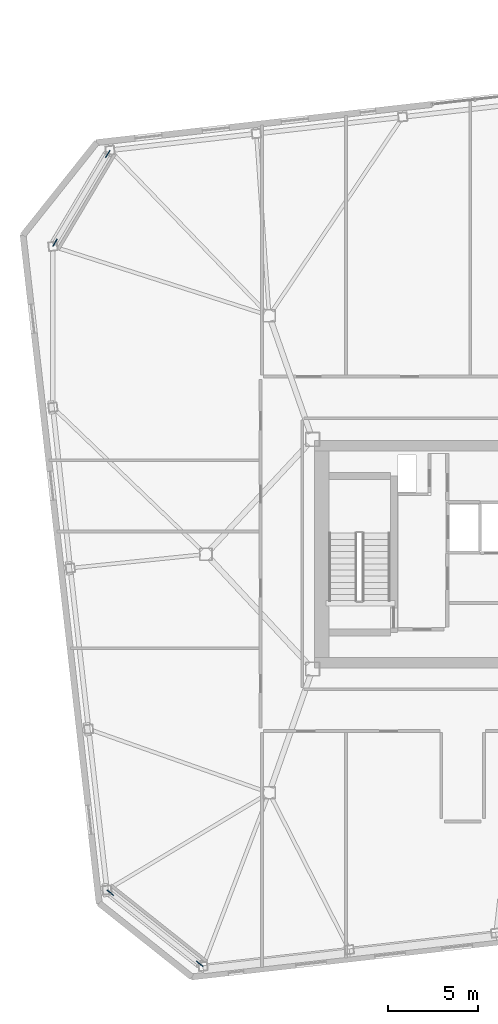
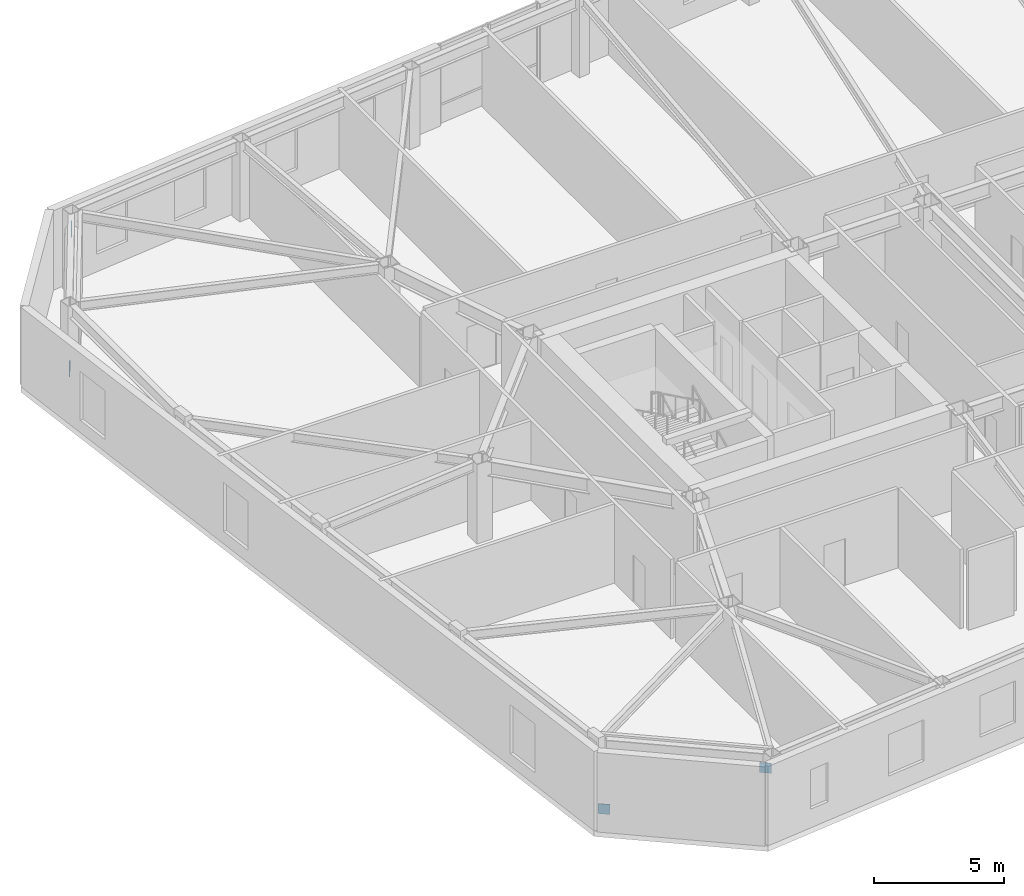
# One storey, part 17 of 19: 4 discrete accessories.
"""IFC4 building model written with IfcOpenShell, lengths in metres."""

from ifc_helpers import new_model, si_unit, direction, frame, origin, origin_2d, place, context, subcontext, project, spatial, rectangle, extrude, material, type_object, element, save


model = new_model("IFC4")

# Units and contexts
model_context = context("Model", 3, precision=1e-05, world=origin(), true_north=direction((0.0, 1.0)))
body_context = subcontext(model_context, "Body", "Model", "MODEL_VIEW")
ifc_project = project(units=[si_unit("LENGTHUNIT", "METRE"), si_unit("AREAUNIT", "SQUARE_METRE"), si_unit("VOLUMEUNIT", "CUBIC_METRE"), si_unit("PLANEANGLEUNIT", "RADIAN"), si_unit("MASSUNIT", "GRAM", prefix="KILO")], contexts=[model_context])

# Site, building, storey
site_placement = place(None, origin())
site = spatial("IfcSite", under=ifc_project, at=site_placement, CompositionType="ELEMENT")
building_placement = place(site_placement, origin())
building = spatial("IfcBuilding", under=site, at=building_placement, Name="Tavrogorsk Clinical Tower", CompositionType="ELEMENT")
storey_placement = place(building_placement, frame((0.0, 0.0, 255.0)))
storey = spatial("IfcBuildingStorey", under=building, at=storey_placement, Name="L59", CompositionType="ELEMENT", Elevation=255.0)

# Discrete accessories
ifc_material = material(Name="Structural steel S440", Category="steel")
discrete_accessory_type = type_object("IfcDiscreteAccessoryType", Name="GussetPlateBracket_25", PredefinedType="BRACKET", material=ifc_material)
for number, where, z_axis, x_axis, name in (
    (1, (-36.349853515625, 17.23486328125, 0.17626953125), (0.0, 0.0, 1.0), (0.511443073004, 0.859317160934, 0.0), "L59 Brace Gusset Plate EXOCRN-L59-3-A"),
    (2, (-33.428955078125, 22.143310546875, 2.75390625), (0.0, 0.0, 1.0), (0.511443073004, 0.859317160934, 0.0), "L59 Brace Gusset Plate EXOCRN-L59-3-B"),
    (3, (-33.29052734375, -18.725341796875, 0.168212890625), (0.0, 0.0, 1.0), (0.782608156852, -0.622514636638, 0.0), "L59 Brace Gusset Plate EXOCRN-L59-4-A"),
    (4, (-28.3515625, -22.654052734375, 2.761962890625), (0.0, 0.0, 1.0), (0.782608156852, -0.622514636638, 0.0), "L59 Brace Gusset Plate EXOCRN-L59-4-B"),
):
    element("IfcDiscreteAccessory", number, at=place(storey_placement, frame(where, z_axis=z_axis, x_axis=x_axis)), inside=storey, type_object=discrete_accessory_type, Name=name, PredefinedType="BRACKET", context=body_context, shape_type="SweptSolid", body=[
        extrude(rectangle(XDim=0.4599609375, YDim=0.0400390625, at=origin_2d()), origin(), (0.0, 0.0, 1.0), 0.4599609375),
    ])

save(model, "model.ifc")
